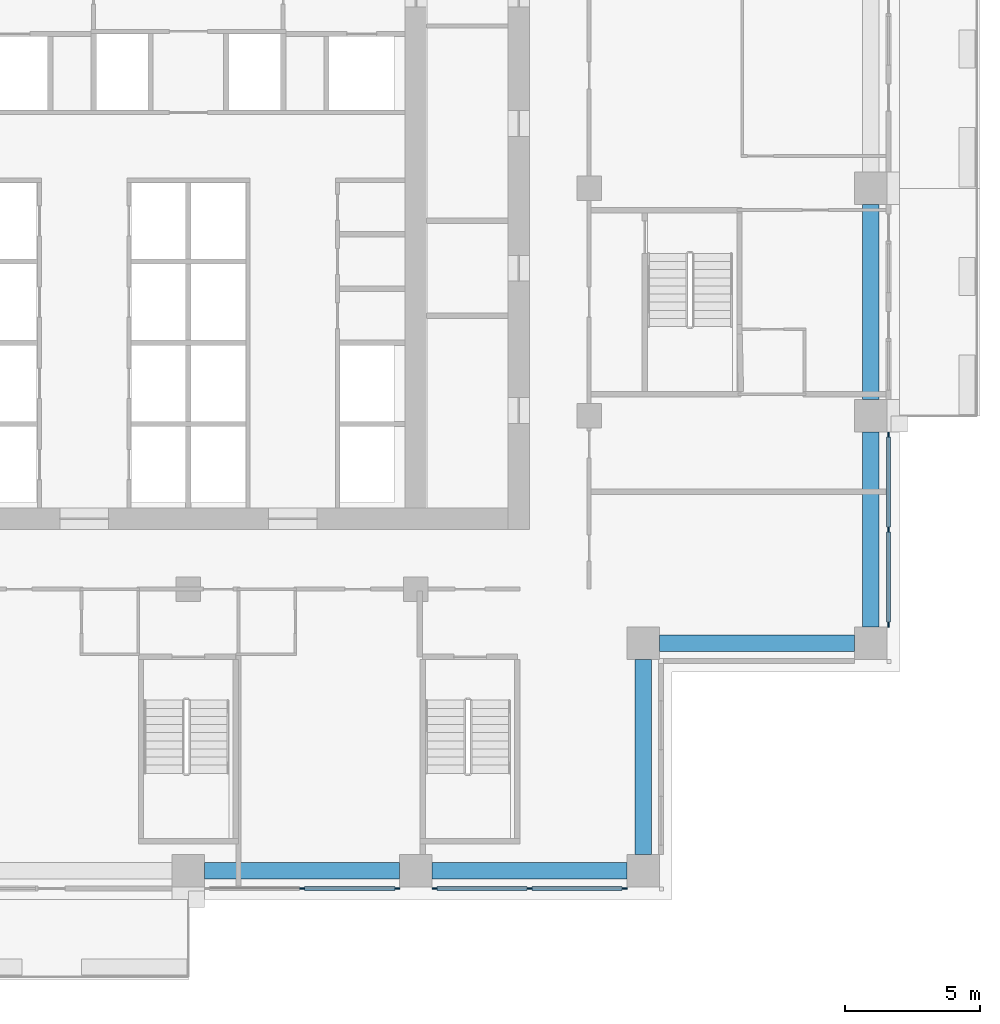
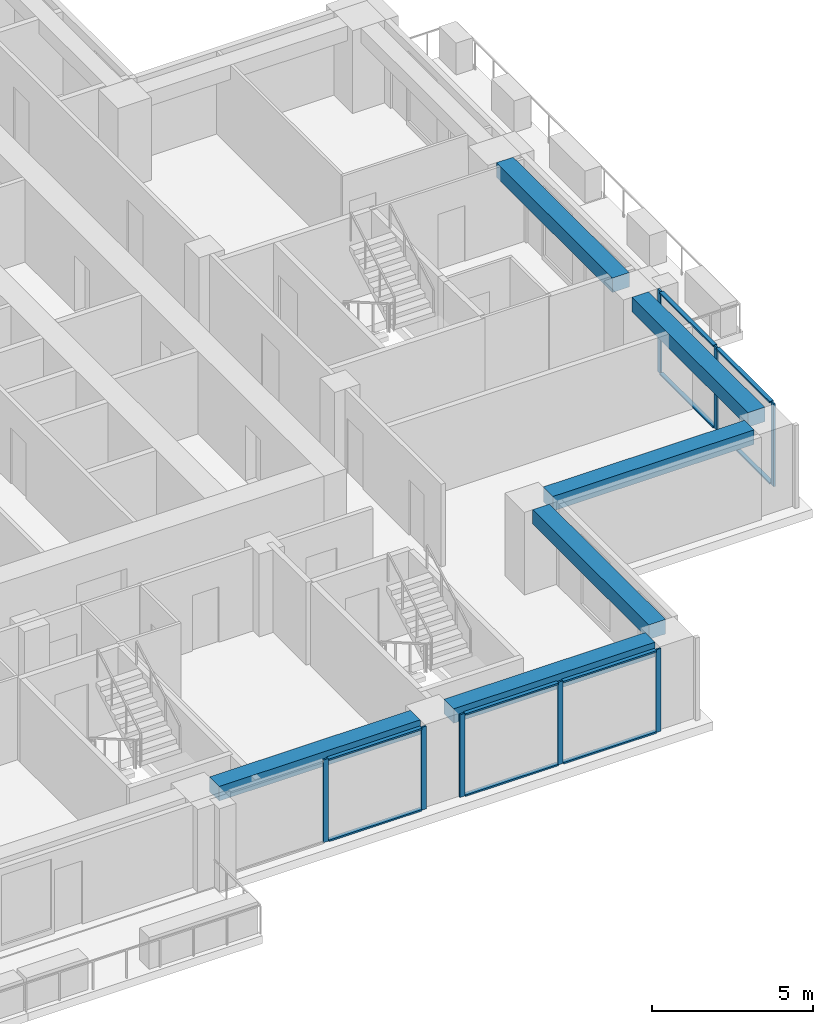
# One storey, part 4 of 16: 18 members, 6 beams, 3 elements without a shape of their own.
"""IFC4 building model written with IfcOpenShell, lengths in metres."""

from ifc_helpers import new_model, si_unit, direction, frame, origin, origin_2d, place, context, subcontext, project, spatial, rectangle, extrude, material, material_profile, profile_set, type_object, element, aggregate, save


model = new_model("IFC4")

# Units and contexts
model_context = context("Model", 3, precision=1e-05, world=origin(), true_north=direction((0.0, 1.0)))
body_context = subcontext(model_context, "Body", "Model", "MODEL_VIEW")
ifc_project = project(units=[si_unit("LENGTHUNIT", "METRE"), si_unit("AREAUNIT", "SQUARE_METRE"), si_unit("VOLUMEUNIT", "CUBIC_METRE"), si_unit("PLANEANGLEUNIT", "RADIAN"), si_unit("MASSUNIT", "GRAM", prefix="KILO")], contexts=[model_context])

# Site, building, storey
site_placement = place(None, origin())
site = spatial("IfcSite", under=ifc_project, at=site_placement, CompositionType="ELEMENT")
building_placement = place(site_placement, origin())
building = spatial("IfcBuilding", under=site, at=building_placement, Name="Vermilion Ogive Tower", CompositionType="ELEMENT")
storey_placement = place(building_placement, frame((0.0, 0.0, 101.10009765625)))
storey = spatial("IfcBuildingStorey", under=building, at=storey_placement, Name="L25", CompositionType="ELEMENT", Elevation=101.10009765625)

# Curtain wall, members
ifc_material_1 = material(Name="Low-iron laminated glazing in aluminium frame", Category="aluminium")
curtain_wall_type = type_object("IfcCurtainWallType", Name="Curtain wall CW7", PredefinedType="NOTDEFINED", material=ifc_material_1)
curtain_wall_1_placement = place(storey_placement, origin())
curtain_wall_1 = element("IfcCurtainWall", 1, at=curtain_wall_1_placement, inside=storey, type_object=curtain_wall_type, Name="Glazed skin S3", PredefinedType="NOTDEFINED")
ifc_material_2 = material(Name="Aluminium mullion", Category="aluminium")
ifc_material_profile_1 = material_profile(ifc_material_2, rectangle(XDim=0.06005859375, YDim=0.179931640625, at=origin_2d()), Name="AL 60x180")
ifc_profile_set_1 = profile_set([ifc_material_profile_1], Name="Aluminium mullion")
member_type_1 = type_object("IfcMemberType", Name="CW7 mullion 60x180", PredefinedType="MULLION", material=ifc_profile_set_1)
member_1_placement = place(storey_placement, frame((4.199951171875, -21.64990234375, 0.0), z_axis=(0.0, 0.0, 1.0), x_axis=(0.0, 1.0, 0.0)))
member_1 = element("IfcMember", 2, at=member_1_placement, type_object=member_type_1, Name="CW7-S3 mullion 2", PredefinedType="MULLION", context=body_context, shape_type="SweptSolid", body=[
    extrude(rectangle(XDim=0.06005859375, YDim=0.179931640625, at=origin_2d()), origin(), (0.0, 0.0, 1.0), 3.1298828125),
])
member_2_placement = place(storey_placement, frame((7.7099609375, -21.64990234375, 0.0), z_axis=(0.0, 0.0, 1.0), x_axis=(0.0, 1.0, 0.0)))
member_2 = element("IfcMember", 3, at=member_2_placement, type_object=member_type_1, Name="CW7-S3 mullion 3", PredefinedType="MULLION", context=body_context, shape_type="SweptSolid", body=[
    extrude(rectangle(XDim=0.06005859375, YDim=0.179931640625, at=origin_2d()), origin(), (0.0, 0.0, 1.0), 3.1298828125),
])

curtain_wall_2_placement = place(storey_placement, origin())
curtain_wall_2 = element("IfcCurtainWall", 4, at=curtain_wall_2_placement, inside=storey, type_object=curtain_wall_type, Name="Glazed skin S4", PredefinedType="NOTDEFINED")
member_3_placement = place(storey_placement, frame((9.090087890625, -21.64990234375, 0.0), z_axis=(0.0, 0.0, 1.0), x_axis=(0.0, 1.0, 0.0)))
member_3 = element("IfcMember", 5, at=member_3_placement, type_object=member_type_1, Name="CW7-S4 mullion 1", PredefinedType="MULLION", context=body_context, shape_type="SweptSolid", body=[
    extrude(rectangle(XDim=0.06005859375, YDim=0.179931640625, at=origin_2d()), origin(), (0.0, 0.0, 1.0), 3.1298828125),
])
member_4_placement = place(storey_placement, frame((12.60009765625, -21.64990234375, 0.0), z_axis=(0.0, 0.0, 1.0), x_axis=(0.0, 1.0, 0.0)))
member_4 = element("IfcMember", 6, at=member_4_placement, type_object=member_type_1, Name="CW7-S4 mullion 2", PredefinedType="MULLION", context=body_context, shape_type="SweptSolid", body=[
    extrude(rectangle(XDim=0.06005859375, YDim=0.179931640625, at=origin_2d()), origin(), (0.0, 0.0, 1.0), 3.1298828125),
])
member_5_placement = place(storey_placement, frame((16.110107421875, -21.64990234375, 0.0), z_axis=(0.0, 0.0, 1.0), x_axis=(0.0, 1.0, 0.0)))
member_5 = element("IfcMember", 7, at=member_5_placement, type_object=member_type_1, Name="CW7-S4 mullion 3", PredefinedType="MULLION", context=body_context, shape_type="SweptSolid", body=[
    extrude(rectangle(XDim=0.06005859375, YDim=0.179931640625, at=origin_2d()), origin(), (0.0, 0.0, 1.0), 3.1298828125),
])

curtain_wall_3_placement = place(storey_placement, origin())
curtain_wall_3 = element("IfcCurtainWall", 8, at=curtain_wall_3_placement, inside=storey, type_object=curtain_wall_type, Name="Glazed skin E1", PredefinedType="NOTDEFINED")
member_6_placement = place(storey_placement, frame((25.85009765625, -11.909912109375, 0.0), z_axis=(0.0, 0.0, 1.0), x_axis=(-1.0, 0.0, 0.0)))
member_6 = element("IfcMember", 9, at=member_6_placement, type_object=member_type_1, Name="CW7-E1 mullion 1", PredefinedType="MULLION", context=body_context, shape_type="SweptSolid", body=[
    extrude(rectangle(XDim=0.06005859375, YDim=0.179931640625, at=origin_2d()), origin(), (0.0, 0.0, 1.0), 3.1298828125),
])
member_7_placement = place(storey_placement, frame((25.85009765625, -8.39990234375, 0.0), z_axis=(0.0, 0.0, 1.0), x_axis=(-1.0, 0.0, 0.0)))
member_7 = element("IfcMember", 10, at=member_7_placement, type_object=member_type_1, Name="CW7-E1 mullion 2", PredefinedType="MULLION", context=body_context, shape_type="SweptSolid", body=[
    extrude(rectangle(XDim=0.06005859375, YDim=0.179931640625, at=origin_2d()), origin(), (0.0, 0.0, 1.0), 3.1298828125),
])
member_8_placement = place(storey_placement, frame((25.85009765625, -4.889892578125, 0.0), z_axis=(0.0, 0.0, 1.0), x_axis=(-1.0, 0.0, 0.0)))
member_8 = element("IfcMember", 11, at=member_8_placement, type_object=member_type_1, Name="CW7-E1 mullion 3", PredefinedType="MULLION", context=body_context, shape_type="SweptSolid", body=[
    extrude(rectangle(XDim=0.06005859375, YDim=0.179931640625, at=origin_2d()), origin(), (0.0, 0.0, 1.0), 3.1298828125),
])

# Member
ifc_material_3 = material(Name="Aluminium transom", Category="aluminium")
ifc_material_profile_2 = material_profile(ifc_material_3, rectangle(XDim=0.139892578125, YDim=0.06005859375, at=origin_2d()), Name="AL 60x140")
ifc_profile_set_2 = profile_set([ifc_material_profile_2], Name="Aluminium transom")
member_type_2 = type_object("IfcMemberType", Name="CW7 transom 60x140", PredefinedType="USERDEFINED", material=ifc_profile_set_2)
member_9_placement = place(storey_placement, frame((4.2900390625, -21.64990234375, 0.02978515625), z_axis=(1.0, 0.0, 0.0), x_axis=(0.0, 1.0, 0.0)))
member_9 = element("IfcMember", 12, at=member_9_placement, type_object=member_type_2, Name="CW7-S3 transom 2.1", ObjectType="TRANSOM", PredefinedType="USERDEFINED", context=body_context, shape_type="SweptSolid", body=[
    extrude(rectangle(XDim=0.139892578125, YDim=0.06005859375, at=origin_2d()), origin(), (0.0, 0.0, 1.0), 3.330078125),
])

member_10_placement = place(storey_placement, frame((4.2900390625, -21.64990234375, 3.099853515625), z_axis=(1.0, 0.0, 0.0), x_axis=(0.0, 1.0, 0.0)))
member_10 = element("IfcMember", 13, at=member_10_placement, type_object=member_type_2, Name="CW7-S3 transom 2.2", ObjectType="TRANSOM", PredefinedType="USERDEFINED", context=body_context, shape_type="SweptSolid", body=[
    extrude(rectangle(XDim=0.139892578125, YDim=0.06005859375, at=origin_2d()), origin(), (0.0, 0.0, 1.0), 3.330078125),
])

aggregate(curtain_wall_1, [member_1, member_2, member_9, member_10])

member_11_placement = place(storey_placement, frame((9.179931640625, -21.64990234375, 0.02978515625), z_axis=(1.0, 0.0, 0.0), x_axis=(0.0, 1.0, 0.0)))
member_11 = element("IfcMember", 14, at=member_11_placement, type_object=member_type_2, Name="CW7-S4 transom 1.1", ObjectType="TRANSOM", PredefinedType="USERDEFINED", context=body_context, shape_type="SweptSolid", body=[
    extrude(rectangle(XDim=0.139892578125, YDim=0.06005859375, at=origin_2d()), origin(), (0.0, 0.0, 1.0), 3.330078125),
])

member_12_placement = place(storey_placement, frame((9.179931640625, -21.64990234375, 3.099853515625), z_axis=(1.0, 0.0, 0.0), x_axis=(0.0, 1.0, 0.0)))
member_12 = element("IfcMember", 15, at=member_12_placement, type_object=member_type_2, Name="CW7-S4 transom 1.2", ObjectType="TRANSOM", PredefinedType="USERDEFINED", context=body_context, shape_type="SweptSolid", body=[
    extrude(rectangle(XDim=0.139892578125, YDim=0.06005859375, at=origin_2d()), origin(), (0.0, 0.0, 1.0), 3.330078125),
])

member_13_placement = place(storey_placement, frame((12.68994140625, -21.64990234375, 0.02978515625), z_axis=(1.0, 0.0, 0.0), x_axis=(0.0, 1.0, 0.0)))
member_13 = element("IfcMember", 16, at=member_13_placement, type_object=member_type_2, Name="CW7-S4 transom 2.1", ObjectType="TRANSOM", PredefinedType="USERDEFINED", context=body_context, shape_type="SweptSolid", body=[
    extrude(rectangle(XDim=0.139892578125, YDim=0.06005859375, at=origin_2d()), origin(), (0.0, 0.0, 1.0), 3.330078125),
])

member_14_placement = place(storey_placement, frame((12.68994140625, -21.64990234375, 3.099853515625), z_axis=(1.0, 0.0, 0.0), x_axis=(0.0, 1.0, 0.0)))
member_14 = element("IfcMember", 17, at=member_14_placement, type_object=member_type_2, Name="CW7-S4 transom 2.2", ObjectType="TRANSOM", PredefinedType="USERDEFINED", context=body_context, shape_type="SweptSolid", body=[
    extrude(rectangle(XDim=0.139892578125, YDim=0.06005859375, at=origin_2d()), origin(), (0.0, 0.0, 1.0), 3.330078125),
])

aggregate(curtain_wall_2, [member_3, member_4, member_5, member_11, member_12, member_13, member_14])

member_15_placement = place(storey_placement, frame((25.85009765625, -11.820068359375, 0.02978515625), z_axis=(0.0, 1.0, 0.0), x_axis=(-1.0, 0.0, 0.0)))
member_15 = element("IfcMember", 18, at=member_15_placement, type_object=member_type_2, Name="CW7-E1 transom 1.1", ObjectType="TRANSOM", PredefinedType="USERDEFINED", context=body_context, shape_type="SweptSolid", body=[
    extrude(rectangle(XDim=0.139892578125, YDim=0.06005859375, at=origin_2d()), origin(), (0.0, 0.0, 1.0), 3.330078125),
])

member_16_placement = place(storey_placement, frame((25.85009765625, -11.820068359375, 3.099853515625), z_axis=(0.0, 1.0, 0.0), x_axis=(-1.0, 0.0, 0.0)))
member_16 = element("IfcMember", 19, at=member_16_placement, type_object=member_type_2, Name="CW7-E1 transom 1.2", ObjectType="TRANSOM", PredefinedType="USERDEFINED", context=body_context, shape_type="SweptSolid", body=[
    extrude(rectangle(XDim=0.139892578125, YDim=0.06005859375, at=origin_2d()), origin(), (0.0, 0.0, 1.0), 3.330078125),
])

member_17_placement = place(storey_placement, frame((25.85009765625, -8.31005859375, 0.02978515625), z_axis=(0.0, 1.0, 0.0), x_axis=(-1.0, 0.0, 0.0)))
member_17 = element("IfcMember", 20, at=member_17_placement, type_object=member_type_2, Name="CW7-E1 transom 2.1", ObjectType="TRANSOM", PredefinedType="USERDEFINED", context=body_context, shape_type="SweptSolid", body=[
    extrude(rectangle(XDim=0.139892578125, YDim=0.06005859375, at=origin_2d()), origin(), (0.0, 0.0, 1.0), 3.330078125),
])

member_18_placement = place(storey_placement, frame((25.85009765625, -8.31005859375, 3.099853515625), z_axis=(0.0, 1.0, 0.0), x_axis=(-1.0, 0.0, 0.0)))
member_18 = element("IfcMember", 21, at=member_18_placement, type_object=member_type_2, Name="CW7-E1 transom 2.2", ObjectType="TRANSOM", PredefinedType="USERDEFINED", context=body_context, shape_type="SweptSolid", body=[
    extrude(rectangle(XDim=0.139892578125, YDim=0.06005859375, at=origin_2d()), origin(), (0.0, 0.0, 1.0), 3.330078125),
])

aggregate(curtain_wall_3, [member_6, member_7, member_8, member_15, member_16, member_17, member_18])

# Beams
ifc_material_4 = material(Name="Concrete B45", Category="concrete")
ifc_material_profile_3 = material_profile(ifc_material_4, rectangle(XDim=0.60009765625, YDim=0.550048828125, at=origin_2d()), Name="600 x 550")
ifc_profile_set_3 = profile_set([ifc_material_profile_3], Name="Concrete B45")
beam_type = type_object("IfcBeamType", Name="Edge beam 600 x 550 B45", PredefinedType="BEAM", material=ifc_profile_set_3)
for number, where, z_axis, x_axis, name in (
    (22, (0.60009765625, -21.0, 2.85498046875), (1.0, 0.0, 0.0), (0.0, 1.0, 0.0), "L25-EB-3"),
    (23, (9.0, -21.0, 2.85498046875), (1.0, 0.0, 0.0), (0.0, 1.0, 0.0), "L25-EB-4"),
    (24, (16.800048828125, -20.39990234375, 2.85498046875), (0.0, 1.0, 0.0), (-1.0, 0.0, 0.0), "L25-EB-5"),
):
    element("IfcBeam", number, at=place(storey_placement, frame(where, z_axis=z_axis, x_axis=x_axis)), inside=storey, type_object=beam_type, Name=name, PredefinedType="BEAM", context=body_context, shape_type="SweptSolid", body=[
        extrude(rectangle(XDim=0.60009765625, YDim=0.550048828125, at=origin_2d()), origin(), (0.0, 0.0, 1.0), 7.199951171875),
    ])
beam_1_placement = place(storey_placement, frame((17.39990234375, -12.60009765625, 2.85498046875), z_axis=(1.0, 0.0, 0.0), x_axis=(0.0, 1.0, 0.0)))
element("IfcBeam", 25, at=beam_1_placement, inside=storey, type_object=beam_type, Name="L25-EB-6", PredefinedType="BEAM", context=body_context, shape_type="SweptSolid", body=[
    extrude(rectangle(XDim=0.60009765625, YDim=0.550048828125, at=origin_2d()), origin(), (0.0, 0.0, 1.0), 7.2001953125),
])
beam_2_placement = place(storey_placement, frame((25.199951171875, -12.0, 2.85498046875), z_axis=(0.0, 1.0, 0.0), x_axis=(-1.0, 0.0, 0.0)))
element("IfcBeam", 26, at=beam_2_placement, inside=storey, type_object=beam_type, Name="L25-EB-7", PredefinedType="BEAM", context=body_context, shape_type="SweptSolid", body=[
    extrude(rectangle(XDim=0.60009765625, YDim=0.550048828125, at=origin_2d()), origin(), (0.0, 0.0, 1.0), 7.199951171875),
])
beam_3_placement = place(storey_placement, frame((25.199951171875, -3.60009765625, 2.85498046875), z_axis=(0.0, 1.0, 0.0), x_axis=(-1.0, 0.0, 0.0)))
element("IfcBeam", 27, at=beam_3_placement, inside=storey, type_object=beam_type, Name="L25-EB-8", PredefinedType="BEAM", context=body_context, shape_type="SweptSolid", body=[
    extrude(rectangle(XDim=0.60009765625, YDim=0.550048828125, at=origin_2d()), origin(), (0.0, 0.0, 1.0), 7.2001953125),
])

save(model, "model.ifc")
